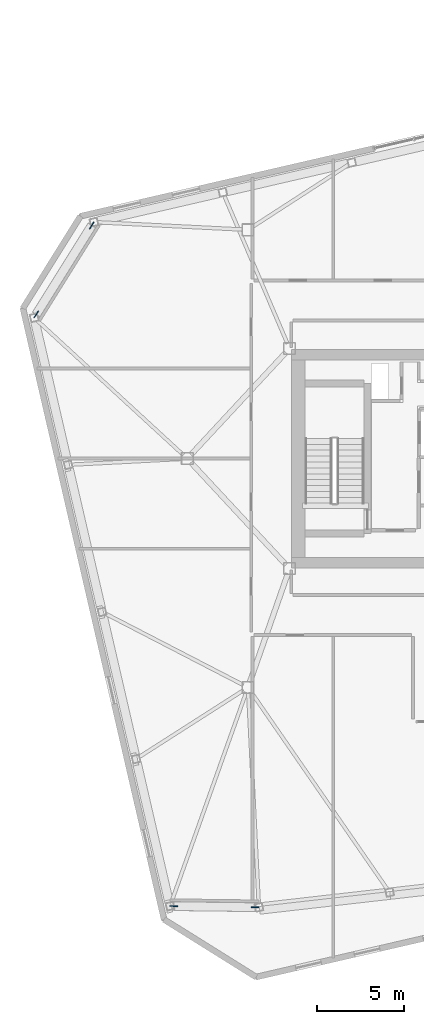
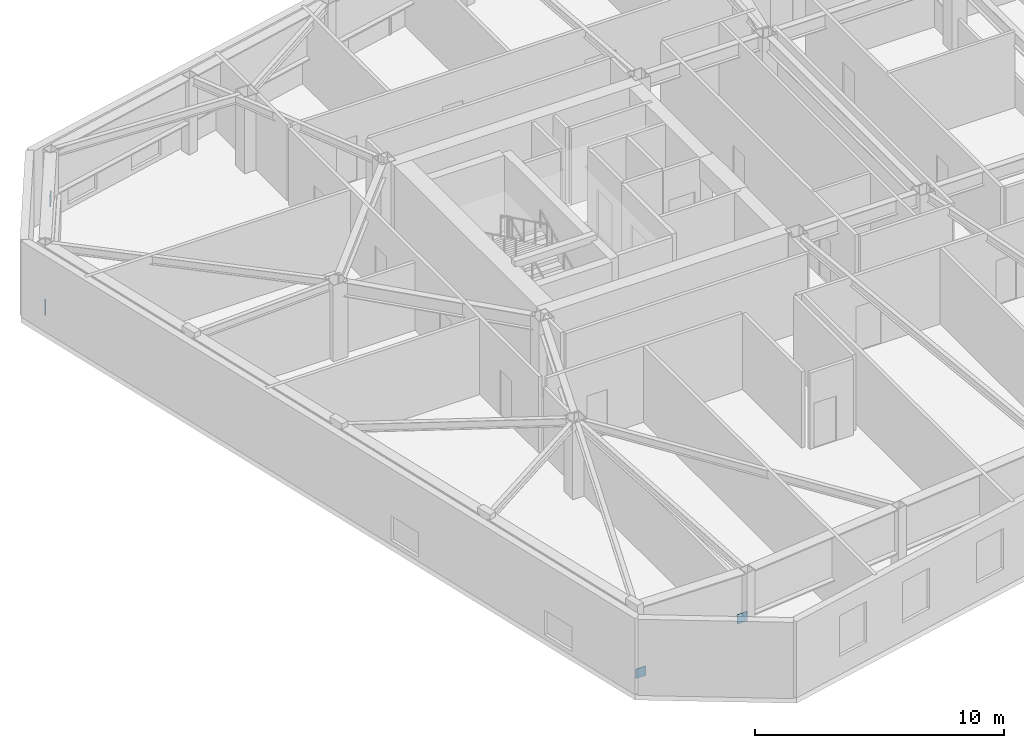
# One storey, part 20 of 23: 4 discrete accessories.
"""IFC4 building model written with IfcOpenShell, lengths in metres."""

from ifc_helpers import new_model, si_unit, direction, frame, origin, origin_2d, place, context, subcontext, project, spatial, rectangle, extrude, material, type_object, element, save


model = new_model("IFC4")

# Units and contexts
model_context = context("Model", 3, precision=1e-05, world=origin(), true_north=direction((0.0, 1.0)))
body_context = subcontext(model_context, "Body", "Model", "MODEL_VIEW")
ifc_project = project(units=[si_unit("LENGTHUNIT", "METRE"), si_unit("AREAUNIT", "SQUARE_METRE"), si_unit("VOLUMEUNIT", "CUBIC_METRE"), si_unit("PLANEANGLEUNIT", "RADIAN"), si_unit("MASSUNIT", "GRAM", prefix="KILO")], contexts=[model_context])

# Site, building, storey
site_placement = place(None, origin())
site = spatial("IfcSite", under=ifc_project, at=site_placement, CompositionType="ELEMENT")
building_placement = place(site_placement, origin())
building = spatial("IfcBuilding", under=site, at=building_placement, Name="Tavrogorsk Clinical Tower", CompositionType="ELEMENT")
storey_placement = place(building_placement, frame((0.0, 0.0, 305.0)))
storey = spatial("IfcBuildingStorey", under=building, at=storey_placement, Name="L71", CompositionType="ELEMENT", Elevation=305.0)

# Discrete accessories
ifc_material = material(Name="Structural steel S440", Category="steel")
discrete_accessory_type = type_object("IfcDiscreteAccessoryType", Name="GussetPlateBracket_25", PredefinedType="BRACKET", material=ifc_material)
for number, where, z_axis, x_axis, name in (
    (1, (-36.71435546875, 8.322509765625, 0.112060546875), (0.0, 0.0, 1.0), (0.529919264233, 0.848048096156, 0.0), "L71 Brace Gusset Plate EXOCRN-L71-3-A"),
    (2, (-33.510009765625, 13.450439453125, 1.218017578125), (0.0, 0.0, 1.0), (0.529919264233, 0.848048096156, 0.0), "L71 Brace Gusset Plate EXOCRN-L71-3-B"),
    (3, (-28.771728515625, -25.822021484375, 0.12255859375), (0.0, 0.0, 1.0), (0.999914327574, -0.013089595571, 0.0), "L71 Brace Gusset Plate EXOCRN-L71-4-A"),
    (4, (-24.09375, -25.8828125, 1.207275390625), (0.0, 0.0, 1.0), (0.999914327574, -0.013089595571, 0.0), "L71 Brace Gusset Plate EXOCRN-L71-4-B"),
):
    element("IfcDiscreteAccessory", number, at=place(storey_placement, frame(where, z_axis=z_axis, x_axis=x_axis)), inside=storey, type_object=discrete_accessory_type, Name=name, PredefinedType="BRACKET", context=body_context, shape_type="SweptSolid", body=[
        extrude(rectangle(XDim=0.4599609375, YDim=0.0400390625, at=origin_2d()), origin(), (0.0, 0.0, 1.0), 0.4599609375),
    ])

save(model, "model.ifc")
